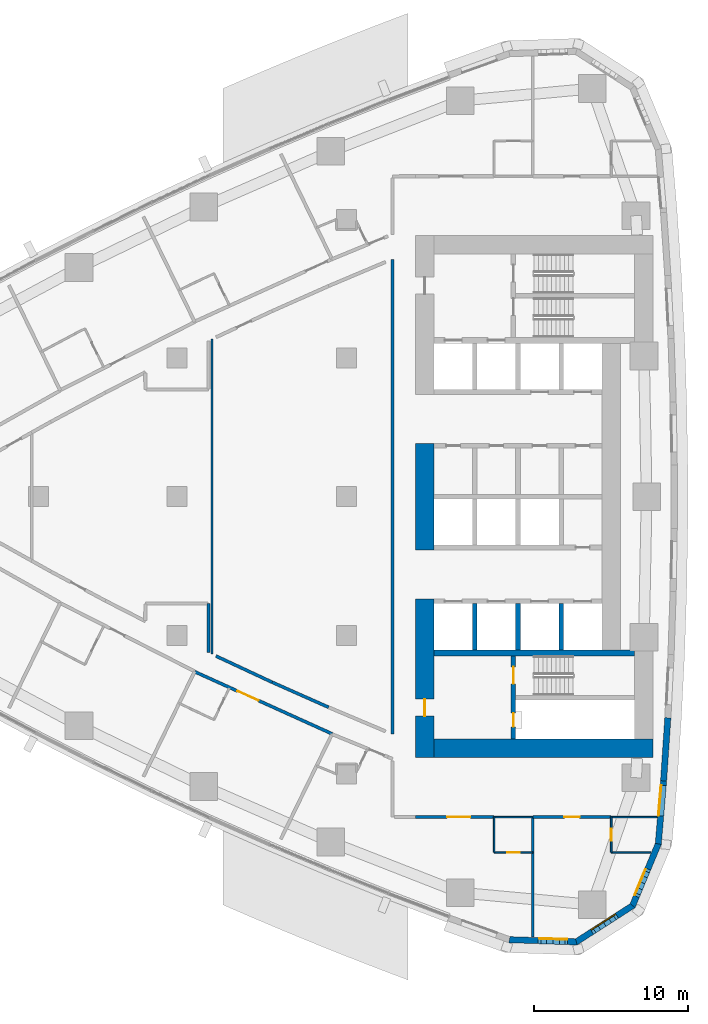
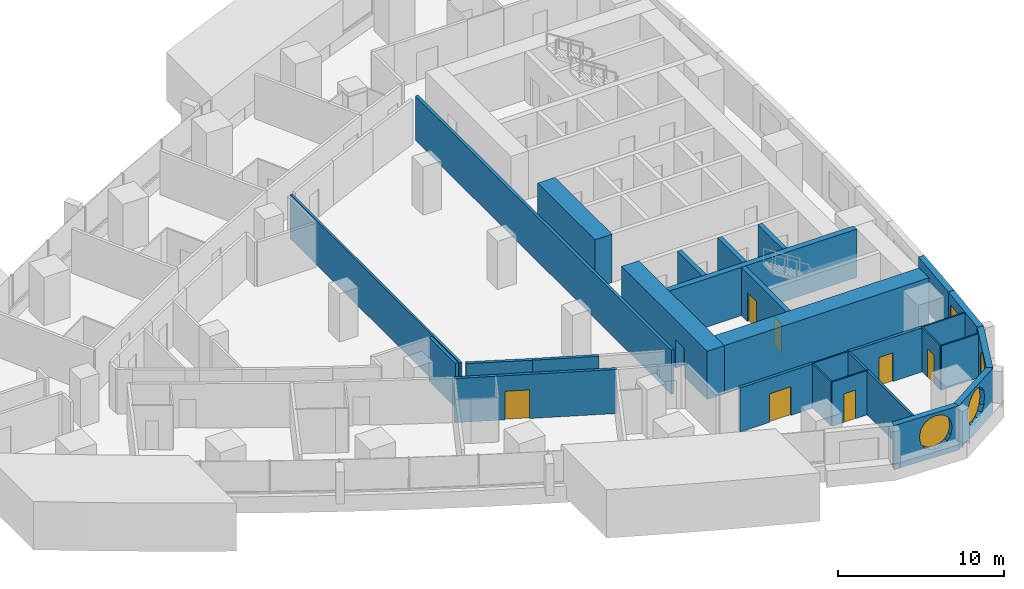
# One storey, part 10 of 19: 28 walls, 8 doors, 4 windows, 12 openings.
"""IFC4 building model written with IfcOpenShell, lengths in metres."""

from ifc_helpers import new_model, si_unit, direction, frame, frame_2d, origin, place, context, subcontext, project, spatial, polyline, rectangle, outline, extrude, material, layer, layer_set, type_object, element, fill, save


model = new_model("IFC4")

# Units and contexts
model_context = context("Model", 3, precision=1e-05, world=origin(), true_north=direction((0.0, 1.0)))
body_context = subcontext(model_context, "Body", "Model", "MODEL_VIEW")
ifc_project = project(units=[si_unit("LENGTHUNIT", "METRE"), si_unit("AREAUNIT", "SQUARE_METRE"), si_unit("VOLUMEUNIT", "CUBIC_METRE"), si_unit("PLANEANGLEUNIT", "RADIAN"), si_unit("MASSUNIT", "GRAM", prefix="KILO")], contexts=[model_context])

# Site, building, storey
site_placement = place(None, origin())
site = spatial("IfcSite", under=ifc_project, at=site_placement, CompositionType="ELEMENT")
building_placement = place(site_placement, origin())
building = spatial("IfcBuilding", under=site, at=building_placement, Name="Ostrand Prow Hotel Tower", CompositionType="ELEMENT")
storey_placement = place(building_placement, frame((0.0, 0.0, 64.449951171875)))
storey = spatial("IfcBuildingStorey", under=building, at=storey_placement, Name="L14", CompositionType="ELEMENT", Elevation=64.449951171875)

# Wall
ifc_material_1 = material(Name="Concrete C80/95", Category="concrete")
ifc_layer_1 = layer(ifc_material_1, 1.199951171875)
ifc_layer_set_1 = layer_set([ifc_layer_1], Name="Concrete C80/95")
wall_type_1 = type_object("IfcWallType", Name="Core wall 1200 C80/95", PredefinedType="SHEAR", material=ifc_layer_set_1)
wall_1_placement = place(storey_placement, frame((50.10009765625, -3.449951171875, 0.0), z_axis=(0.0, 0.0, 1.0), x_axis=(0.0, 1.0, 0.0)))
element("IfcWall", 1, at=wall_1_placement, inside=storey, type_object=wall_type_1, Name="Core wall CW-W-C", PredefinedType="SHEAR", context=body_context, shape_type="SweptSolid", body=[
    extrude(rectangle(XDim=6.89990234375, YDim=1.199951171875, at=frame_2d((3.449951171875, 0.0))), origin(), (0.0, 0.0, 1.0), 3.550048828125),
])

# Wall, opening, door
wall_2_placement = place(storey_placement, frame((50.10009765625, -16.949951171875, 0.0), z_axis=(0.0, 0.0, 1.0), x_axis=(0.0, 1.0, 0.0)))
wall_2 = element("IfcWall", 2, at=wall_2_placement, inside=storey, type_object=wall_type_1, Name="Core wall CW-W-S", PredefinedType="SHEAR", context=body_context, shape_type="SweptSolid", body=[
    extrude(rectangle(XDim=10.300048828125, YDim=1.199951171875, at=frame_2d((5.14990234375, 0.0))), origin(), (0.0, 0.0, 1.0), 3.550048828125),
])
opening_1_placement = place(wall_2_placement, frame((2.699951171875, 0.0, 0.0)))
opening_1 = element("IfcOpeningElement", 3, at=opening_1_placement, cuts=wall_2, Name="Opening FD1", PredefinedType="OPENING", context=body_context, shape_type="SweptSolid", body=[
    extrude(rectangle(XDim=1.10009765625, YDim=2.10009765625, at=frame_2d((0.550048828125, 1.050048828125))), frame((0.0, 0.60986328125, 0.0), z_axis=(0.0, -1.0, 0.0), x_axis=(1.0, 0.0, 0.0)), (0.0, 0.0, 1.0), 1.219970703125),
])
ifc_material_2 = material(Name="Steel fire door", Category="steel")
door_type_1 = type_object("IfcDoorType", Name="Fire door 1100 EI120", OperationType="SINGLE_SWING_RIGHT", PredefinedType="DOOR", material=ifc_material_2)
door_1_placement = place(opening_1_placement, origin())
door_1 = element("IfcDoor", 4, at=door_1_placement, inside=storey, type_object=door_type_1, Name="FIRE DOOR", OperationType="SINGLE_SWING_RIGHT", OverallHeight=2.10009765625, OverallWidth=1.10009765625, PredefinedType="DOOR", context=body_context, shape_type="SweptSolid", body=[
    extrude(rectangle(XDim=1.10009765625, YDim=2.10009765625, at=frame_2d((0.550048828125, 1.050048828125))), frame((0.0, 0.02490234375, 0.0), z_axis=(0.0, -1.0, 0.0), x_axis=(1.0, 0.0, 0.0)), (0.0, 0.0, 1.0), 0.050048828125),
])
fill(opening_1, door_1)

# Walls
wall_3_placement = place(storey_placement, frame((50.699951171875, -16.35009765625, 0.0), z_axis=(0.0, 0.0, 1.0), x_axis=(1.0, 0.0, 0.0)))
element("IfcWall", 5, at=wall_3_placement, inside=storey, type_object=wall_type_1, Name="Core wall CW-S", PredefinedType="SHEAR", context=body_context, shape_type="SweptSolid", body=[
    extrude(rectangle(XDim=14.219970703125, YDim=1.199951171875, at=frame_2d((7.10986328125, 0.0))), origin(), (0.0, 0.0, 1.0), 3.550048828125),
])
ifc_material_3 = material(Name="Concrete C80/95", Category="concrete")
ifc_layer_2 = layer(ifc_material_3, 0.300048828125)
ifc_layer_set_2 = layer_set([ifc_layer_2], Name="Concrete C80/95")
wall_type_2 = type_object("IfcWallType", Name="Core wall 300 C80/95", PredefinedType="SHEAR", material=ifc_layer_set_2)
for number, where, z_axis, x_axis, name in (
    (6, (53.35009765625, -9.949951171875, 0.0), (0.0, 0.0, 1.0), (0.0, 1.0, 0.0), "Core wall PW-R1-SA"),
    (7, (56.14990234375, -9.949951171875, 0.0), (0.0, 0.0, 1.0), (0.0, 1.0, 0.0), "Core wall PW-R2-SA"),
    (8, (58.949951171875, -9.949951171875, 0.0), (0.0, 0.0, 1.0), (0.0, 1.0, 0.0), "Core wall PW-R3-SA"),
):
    element("IfcWall", number, at=place(storey_placement, frame(where, z_axis=z_axis, x_axis=x_axis)), inside=storey, type_object=wall_type_2, Name=name, PredefinedType="SHEAR", context=body_context, shape_type="SweptSolid", body=[
        extrude(rectangle(XDim=3.0, YDim=0.300048828125, at=frame_2d((1.5, 0.0))), origin(), (0.0, 0.0, 1.0), 3.550048828125),
    ])

# Wall, openings, doors
wall_4_placement = place(storey_placement, frame((55.85009765625, -15.75, 0.0), z_axis=(0.0, 0.0, 1.0), x_axis=(0.0, 1.0, 0.0)))
wall_4 = element("IfcWall", 9, at=wall_4_placement, inside=storey, type_object=wall_type_2, Name="Core wall PW-VS", PredefinedType="SHEAR", context=body_context, shape_type="SweptSolid", body=[
    extrude(rectangle(XDim=5.39990234375, YDim=0.300048828125, at=frame_2d((2.699951171875, 0.0))), origin(), (0.0, 0.0, 1.0), 3.550048828125),
])
opening_2_placement = place(wall_4_placement, frame((3.60009765625, 0.0, 0.0)))
opening_2 = element("IfcOpeningElement", 10, at=opening_2_placement, cuts=wall_4, Name="Opening FD1", PredefinedType="OPENING", context=body_context, shape_type="SweptSolid", body=[
    extrude(rectangle(XDim=1.10009765625, YDim=2.10009765625, at=frame_2d((0.550048828125, 1.050048828125))), frame((0.0, 0.159912109375, 0.0), z_axis=(0.0, -1.0, 0.0), x_axis=(1.0, 0.0, 0.0)), (0.0, 0.0, 1.0), 0.320068359375),
])
opening_3_placement = place(wall_4_placement, frame((0.800048828125, 0.0, 0.0)))
opening_3 = element("IfcOpeningElement", 11, at=opening_3_placement, cuts=wall_4, Name="Opening FD2", PredefinedType="OPENING", context=body_context, shape_type="SweptSolid", body=[
    extrude(rectangle(XDim=0.89990234375, YDim=2.10009765625, at=frame_2d((0.449951171875, 1.050048828125))), frame((0.0, 0.159912109375, 0.0), z_axis=(0.0, -1.0, 0.0), x_axis=(1.0, 0.0, 0.0)), (0.0, 0.0, 1.0), 0.320068359375),
])
door_2_placement = place(opening_2_placement, origin())
door_2 = element("IfcDoor", 12, at=door_2_placement, inside=storey, type_object=door_type_1, Name="FIRE DOOR", OperationType="SINGLE_SWING_RIGHT", OverallHeight=2.10009765625, OverallWidth=1.10009765625, PredefinedType="DOOR", context=body_context, shape_type="SweptSolid", body=[
    extrude(rectangle(XDim=1.10009765625, YDim=2.10009765625, at=frame_2d((0.550048828125, 1.050048828125))), frame((0.0, 0.02490234375, 0.0), z_axis=(0.0, -1.0, 0.0), x_axis=(1.0, 0.0, 0.0)), (0.0, 0.0, 1.0), 0.050048828125),
])
fill(opening_2, door_2)
ifc_material_4 = material(Name="Steel fire door", Category="steel")
door_type_2 = type_object("IfcDoorType", Name="Fire door 900 EI120", OperationType="SINGLE_SWING_LEFT", PredefinedType="DOOR", material=ifc_material_4)
door_3_placement = place(opening_3_placement, origin())
door_3 = element("IfcDoor", 13, at=door_3_placement, inside=storey, type_object=door_type_2, Name="FIRE DOOR", OperationType="SINGLE_SWING_LEFT", OverallHeight=2.10009765625, OverallWidth=0.89990234375, PredefinedType="DOOR", context=body_context, shape_type="SweptSolid", body=[
    extrude(rectangle(XDim=0.89990234375, YDim=2.10009765625, at=frame_2d((0.449951171875, 1.050048828125))), frame((0.0, 0.02490234375, 0.0), z_axis=(0.0, -1.0, 0.0), x_axis=(1.0, 0.0, 0.0)), (0.0, 0.0, 1.0), 0.050048828125),
])
fill(opening_3, door_3)

# Walls
ifc_material_5 = material(Name="Concrete C80/95", Category="concrete")
ifc_layer_3 = layer(ifc_material_5, 0.39990234375)
ifc_layer_set_3 = layer_set([ifc_layer_3], Name="Concrete C80/95")
wall_type_3 = type_object("IfcWallType", Name="Core wall 400 C80/95", PredefinedType="SHEAR", material=ifc_layer_set_3)
wall_5_placement = place(storey_placement, frame((50.699951171875, -10.14990234375, 0.0), z_axis=(0.0, 0.0, 1.0), x_axis=(1.0, 0.0, 0.0)))
element("IfcWall", 14, at=wall_5_placement, inside=storey, type_object=wall_type_3, Name="Core wall PW-BS", PredefinedType="SHEAR", context=body_context, shape_type="SweptSolid", body=[
    extrude(rectangle(XDim=13.02001953125, YDim=0.39990234375, at=frame_2d((6.510009765625, 0.0))), origin(), (0.0, 0.0, 1.0), 3.550048828125),
])
ifc_material_6 = material(Name="Plasterboard partition")
ifc_layer_4 = layer(ifc_material_6, 0.10009765625)
ifc_layer_set_4 = layer_set([ifc_layer_4], Name="Plasterboard partition")
wall_type_4 = type_object("IfcWallType", Name="Partition 100 bathroom wall", PredefinedType="PARTITIONING", material=ifc_layer_set_4)
wall_6_placement = place(storey_placement, frame((54.601806640625, -23.10009765625, 0.0), z_axis=(0.0, 0.0, 1.0), x_axis=(0.0, 1.0, 0.0)))
element("IfcWall", 15, at=wall_6_placement, inside=storey, type_object=wall_type_4, Name="BATHROOM WALL", PredefinedType="PARTITIONING", context=body_context, shape_type="SweptSolid", body=[
    extrude(rectangle(XDim=2.300048828125, YDim=0.10009765625, at=frame_2d((1.14990234375, 0.0))), origin(), (0.0, 0.0, 1.0), 3.25),
])

# Wall, opening, door
wall_7_placement = place(storey_placement, frame((57.101806640625, -23.10009765625, 0.0), z_axis=(0.0, 0.0, 1.0), x_axis=(-1.0, 0.0, 0.0)))
wall_7 = element("IfcWall", 16, at=wall_7_placement, inside=storey, type_object=wall_type_4, Name="BATHROOM WALL", PredefinedType="PARTITIONING", context=body_context, shape_type="SweptSolid", body=[
    extrude(rectangle(XDim=2.5, YDim=0.10009765625, at=frame_2d((1.25, 0.0))), origin(), (0.0, 0.0, 1.0), 3.25),
])
opening_4_placement = place(wall_7_placement, frame((0.85009765625, 0.0, 0.0)))
opening_4 = element("IfcOpeningElement", 17, at=opening_4_placement, cuts=wall_7, Name="Opening D2", PredefinedType="OPENING", context=body_context, shape_type="SweptSolid", body=[
    extrude(rectangle(XDim=0.800048828125, YDim=2.10009765625, at=frame_2d((0.39990234375, 1.050048828125))), frame((0.0, 0.06005859375, 0.0), z_axis=(0.0, -1.0, 0.0), x_axis=(1.0, 0.0, 0.0)), (0.0, 0.0, 1.0), 0.1201171875),
])
ifc_material_7 = material(Name="Timber door leaf", Category="wood")
door_type_3 = type_object("IfcDoorType", Name="Bathroom door 800", OperationType="SINGLE_SWING_LEFT", PredefinedType="DOOR", material=ifc_material_7)
door_4_placement = place(opening_4_placement, origin())
door_4 = element("IfcDoor", 18, at=door_4_placement, inside=storey, type_object=door_type_3, Name="DOOR", OperationType="SINGLE_SWING_LEFT", OverallHeight=2.10009765625, OverallWidth=0.800048828125, PredefinedType="DOOR", context=body_context, shape_type="SweptSolid", body=[
    extrude(rectangle(XDim=0.800048828125, YDim=2.10009765625, at=frame_2d((0.39990234375, 1.050048828125))), frame((0.0, 0.02490234375, 0.0), z_axis=(0.0, -1.0, 0.0), x_axis=(1.0, 0.0, 0.0)), (0.0, 0.0, 1.0), 0.050048828125),
])
fill(opening_4, door_4)

# Wall
wall_8_placement = place(storey_placement, frame((64.781494140625, -23.10009765625, 0.0), z_axis=(0.0, 0.0, 1.0), x_axis=(-1.0, 0.0, 0.0)))
element("IfcWall", 19, at=wall_8_placement, inside=storey, type_object=wall_type_4, Name="BATHROOM WALL", PredefinedType="PARTITIONING", context=body_context, shape_type="SweptSolid", body=[
    extrude(rectangle(XDim=2.578125, YDim=0.10009765625, at=frame_2d((1.2890625, 0.0))), origin(), (0.0, 0.0, 1.0), 3.25),
])

# Wall, opening, door
wall_9_placement = place(storey_placement, frame((62.203369140625, -23.10009765625, 0.0), z_axis=(0.0, 0.0, 1.0), x_axis=(0.0, 1.0, 0.0)))
wall_9 = element("IfcWall", 20, at=wall_9_placement, inside=storey, type_object=wall_type_4, Name="BATHROOM WALL", PredefinedType="PARTITIONING", context=body_context, shape_type="SweptSolid", body=[
    extrude(rectangle(XDim=2.300048828125, YDim=0.10009765625, at=frame_2d((1.14990234375, 0.0))), origin(), (0.0, 0.0, 1.0), 3.25),
])
opening_5_placement = place(wall_9_placement, frame((0.75, 0.0, 0.0)))
opening_5 = element("IfcOpeningElement", 21, at=opening_5_placement, cuts=wall_9, Name="Opening D2", PredefinedType="OPENING", context=body_context, shape_type="SweptSolid", body=[
    extrude(rectangle(XDim=0.800048828125, YDim=2.10009765625, at=frame_2d((0.39990234375, 1.050048828125))), frame((0.0, 0.06005859375, 0.0), z_axis=(0.0, -1.0, 0.0), x_axis=(1.0, 0.0, 0.0)), (0.0, 0.0, 1.0), 0.1201171875),
])
door_5_placement = place(opening_5_placement, origin())
door_5 = element("IfcDoor", 22, at=door_5_placement, inside=storey, type_object=door_type_3, Name="DOOR", OperationType="SINGLE_SWING_LEFT", OverallHeight=2.10009765625, OverallWidth=0.800048828125, PredefinedType="DOOR", context=body_context, shape_type="SweptSolid", body=[
    extrude(rectangle(XDim=0.800048828125, YDim=2.10009765625, at=frame_2d((0.39990234375, 1.050048828125))), frame((0.0, 0.02490234375, 0.0), z_axis=(0.0, -1.0, 0.0), x_axis=(1.0, 0.0, 0.0)), (0.0, 0.0, 1.0), 0.050048828125),
])
fill(opening_5, door_5)

# Walls
wall_10_placement = place(storey_placement, frame((54.601806640625, -20.804931640625, 0.0), z_axis=(0.0, 0.0, 1.0), x_axis=(1.0, 0.0, 0.0)))
element("IfcWall", 23, at=wall_10_placement, inside=storey, type_object=wall_type_4, Name="BATHROOM WALL", PredefinedType="PARTITIONING", context=body_context, shape_type="SweptSolid", body=[
    extrude(rectangle(XDim=2.5, YDim=0.10009765625, at=frame_2d((1.25, 0.0))), origin(), (0.0, 0.0, 1.0), 3.25),
])
wall_11_placement = place(storey_placement, frame((62.203369140625, -20.804931640625, 0.0), z_axis=(0.0, 0.0, 1.0), x_axis=(1.0, 0.0, 0.0)))
element("IfcWall", 24, at=wall_11_placement, inside=storey, type_object=wall_type_4, Name="BATHROOM WALL", PredefinedType="PARTITIONING", context=body_context, shape_type="SweptSolid", body=[
    extrude(rectangle(XDim=2.97119140625, YDim=0.10009765625, at=frame_2d((1.485595703125, 0.0))), origin(), (0.0, 0.0, 1.0), 3.25),
])
ifc_material_8 = material(Name="Plasterboard partition")
ifc_layer_5 = layer(ifc_material_8, 0.14990234375)
ifc_layer_set_5 = layer_set([ifc_layer_5], Name="Plasterboard partition")
wall_type_5 = type_object("IfcWallType", Name="Partition 150 room partition", PredefinedType="PARTITIONING", material=ifc_layer_set_5)
wall_12_placement = place(storey_placement, frame((57.101806640625, -28.5869140625, 0.0), z_axis=(0.0, 0.0, 1.0), x_axis=(0.0, 1.0, 0.0)))
element("IfcWall", 25, at=wall_12_placement, inside=storey, type_object=wall_type_5, Name="ROOM PARTITION", PredefinedType="PARTITIONING", context=body_context, shape_type="SweptSolid", body=[
    extrude(rectangle(XDim=7.786865234375, YDim=0.14990234375, at=frame_2d((3.8935546875, 0.0))), origin(), (0.0, 0.0, 1.0), 3.25),
])
wall_13_placement = place(storey_placement, frame((36.28271484375, -10.22509765625, 0.0), z_axis=(0.0, 0.0, 1.0), x_axis=(0.0, 1.0, 0.0)))
element("IfcWall", 26, at=wall_13_placement, inside=storey, type_object=wall_type_5, Name="ROOM PARTITION", PredefinedType="PARTITIONING", context=body_context, shape_type="SweptSolid", body=[
    extrude(rectangle(XDim=20.4501953125, YDim=0.14990234375, at=frame_2d((10.22509765625, 0.0))), origin(), (0.0, 0.0, 1.0), 3.25),
])

# Wall, opening, door
ifc_material_9 = material(Name="Plasterboard partition")
ifc_layer_6 = layer(ifc_material_9, 0.199951171875)
ifc_layer_set_6 = layer_set([ifc_layer_6], Name="Plasterboard partition")
wall_type_6 = type_object("IfcWallType", Name="Partition 200 corridor wall", PredefinedType="PARTITIONING", material=ifc_layer_set_6)
wall_14_placement = place(storey_placement, frame((35.147705078125, -11.3623046875, 0.0), z_axis=(0.0, 0.0, 1.0), x_axis=(0.9111333041, -0.412111759308, 0.0)))
wall_14 = element("IfcWall", 27, at=wall_14_placement, inside=storey, type_object=wall_type_6, Name="CORRIDOR WALL", PredefinedType="PARTITIONING", context=body_context, shape_type="SweptSolid", body=[
    extrude(rectangle(XDim=9.803955078125, YDim=0.199951171875, at=frame_2d((4.90185546875, 0.0))), origin(), (0.0, 0.0, 1.0), 3.25),
])
opening_6_placement = place(wall_14_placement, frame((3.050048828125, 0.0, 0.0)))
opening_6 = element("IfcOpeningElement", 28, at=opening_6_placement, cuts=wall_14, Name="Opening D15", PredefinedType="OPENING", context=body_context, shape_type="SweptSolid", body=[
    extrude(rectangle(XDim=1.5, YDim=2.10009765625, at=frame_2d((0.75, 1.050048828125))), frame((0.0, 0.10986328125, 0.0), z_axis=(0.0, -1.0, 0.0), x_axis=(1.0, 0.0, 0.0)), (0.0, 0.0, 1.0), 0.219970703125),
])
ifc_material_10 = material(Name="Timber door leaf", Category="wood")
door_type_4 = type_object("IfcDoorType", Name="Double door 1500", OperationType="DOUBLE_DOOR_SINGLE_SWING", PredefinedType="DOOR", material=ifc_material_10)
door_6_placement = place(opening_6_placement, origin())
door_6 = element("IfcDoor", 29, at=door_6_placement, inside=storey, type_object=door_type_4, Name="DOOR", OperationType="DOUBLE_DOOR_SINGLE_SWING", OverallHeight=2.10009765625, OverallWidth=1.5, PredefinedType="DOOR", context=body_context, shape_type="SweptSolid", body=[
    extrude(rectangle(XDim=1.5, YDim=2.10009765625, at=frame_2d((0.75, 1.050048828125))), frame((0.0, 0.02490234375, 0.0), z_axis=(0.0, -1.0, 0.0), x_axis=(1.0, 0.0, 0.0)), (0.0, 0.0, 1.0), 0.050048828125),
])
fill(opening_6, door_6)

# Walls
wall_15_placement = place(storey_placement, frame((43.85009765625, -13.67724609375, 0.0), z_axis=(0.0, 0.0, 1.0), x_axis=(-0.913986953061, 0.405743576209, 0.0)))
element("IfcWall", 30, at=wall_15_placement, inside=storey, type_object=wall_type_6, Name="CORRIDOR WALL", PredefinedType="PARTITIONING", context=body_context, shape_type="SweptSolid", body=[
    extrude(rectangle(XDim=4.015869140625, YDim=0.199951171875, at=frame_2d((2.0078125, 0.0))), origin(), (0.0, 0.0, 1.0), 3.25),
])
wall_16_placement = place(storey_placement, frame((40.1796875, -12.0478515625, 0.0), z_axis=(0.0, 0.0, 1.0), x_axis=(-0.906347708834, 0.42253263861, 0.0)))
element("IfcWall", 31, at=wall_16_placement, inside=storey, type_object=wall_type_6, Name="CORRIDOR WALL", PredefinedType="PARTITIONING", context=body_context, shape_type="SweptSolid", body=[
    extrude(rectangle(XDim=4.015625, YDim=0.199951171875, at=frame_2d((2.0078125, 0.0))), origin(), (0.0, 0.0, 1.0), 3.25),
])

# Wall, opening, door
wall_17_placement = place(storey_placement, frame((49.5, -20.804931640625, 0.0), z_axis=(0.0, 0.0, 1.0), x_axis=(1.0, 0.0, 0.0)))
wall_17 = element("IfcWall", 32, at=wall_17_placement, inside=storey, type_object=wall_type_6, Name="CORRIDOR WALL", PredefinedType="PARTITIONING", context=body_context, shape_type="SweptSolid", body=[
    extrude(rectangle(XDim=5.0966796875, YDim=0.199951171875, at=frame_2d((2.54833984375, 0.0))), origin(), (0.0, 0.0, 1.0), 3.25),
])
opening_7_placement = place(wall_17_placement, frame((2.04833984375, 0.0, 0.0)))
opening_7 = element("IfcOpeningElement", 33, at=opening_7_placement, cuts=wall_17, Name="Opening D15", PredefinedType="OPENING", context=body_context, shape_type="SweptSolid", body=[
    extrude(rectangle(XDim=1.5, YDim=2.10009765625, at=frame_2d((0.75, 1.050048828125))), frame((0.0, 0.10986328125, 0.0), z_axis=(0.0, -1.0, 0.0), x_axis=(1.0, 0.0, 0.0)), (0.0, 0.0, 1.0), 0.219970703125),
])
door_7_placement = place(opening_7_placement, origin())
door_7 = element("IfcDoor", 34, at=door_7_placement, inside=storey, type_object=door_type_4, Name="DOOR", OperationType="DOUBLE_DOOR_SINGLE_SWING", OverallHeight=2.10009765625, OverallWidth=1.5, PredefinedType="DOOR", context=body_context, shape_type="SweptSolid", body=[
    extrude(rectangle(XDim=1.5, YDim=2.10009765625, at=frame_2d((0.75, 1.050048828125))), frame((0.0, 0.02490234375, 0.0), z_axis=(0.0, -1.0, 0.0), x_axis=(1.0, 0.0, 0.0)), (0.0, 0.0, 1.0), 0.050048828125),
])
fill(opening_7, door_7)

wall_18_placement = place(storey_placement, frame((57.106689453125, -20.804931640625, 0.0), z_axis=(0.0, 0.0, 1.0), x_axis=(1.0, 0.0, 0.0)))
wall_18 = element("IfcWall", 35, at=wall_18_placement, inside=storey, type_object=wall_type_6, Name="CORRIDOR WALL", PredefinedType="PARTITIONING", context=body_context, shape_type="SweptSolid", body=[
    extrude(rectangle(XDim=5.091552734375, YDim=0.199951171875, at=frame_2d((2.5458984375, 0.0))), origin(), (0.0, 0.0, 1.0), 3.25),
])
opening_8_placement = place(wall_18_placement, frame((2.0458984375, 0.0, 0.0)))
opening_8 = element("IfcOpeningElement", 36, at=opening_8_placement, cuts=wall_18, Name="Opening D1R", PredefinedType="OPENING", context=body_context, shape_type="SweptSolid", body=[
    extrude(rectangle(XDim=1.0, YDim=2.10009765625, at=frame_2d((0.5, 1.050048828125))), frame((0.0, 0.10986328125, 0.0), z_axis=(0.0, -1.0, 0.0), x_axis=(1.0, 0.0, 0.0)), (0.0, 0.0, 1.0), 0.219970703125),
])
ifc_material_11 = material(Name="Timber door leaf", Category="wood")
door_type_5 = type_object("IfcDoorType", Name="Guest room door 1000 right", OperationType="SINGLE_SWING_RIGHT", PredefinedType="DOOR", material=ifc_material_11)
door_8_placement = place(opening_8_placement, origin())
door_8 = element("IfcDoor", 37, at=door_8_placement, inside=storey, type_object=door_type_5, Name="DOOR", OperationType="SINGLE_SWING_RIGHT", OverallHeight=2.10009765625, OverallWidth=1.0, PredefinedType="DOOR", context=body_context, shape_type="SweptSolid", body=[
    extrude(rectangle(XDim=1.0, YDim=2.10009765625, at=frame_2d((0.5, 1.050048828125))), frame((0.0, 0.02490234375, 0.0), z_axis=(0.0, -1.0, 0.0), x_axis=(1.0, 0.0, 0.0)), (0.0, 0.0, 1.0), 0.050048828125),
])
fill(opening_8, door_8)

# Walls
wall_19_placement = place(storey_placement, frame((36.054931640625, -10.1083984375, 0.0), z_axis=(0.0, 0.0, 1.0), x_axis=(-0.00077190251, 0.999999702083, 0.0)))
element("IfcWall", 38, at=wall_19_placement, inside=storey, type_object=wall_type_6, Name="CORRIDOR WALL", PredefinedType="PARTITIONING", context=body_context, shape_type="SweptSolid", body=[
    extrude(rectangle(XDim=3.162841796875, YDim=0.199951171875, at=frame_2d((1.58154296875, 0.0))), origin(), (0.0, 0.0, 1.0), 3.25),
])
wall_20_placement = place(storey_placement, frame((48.0, 15.4140625, 0.0), z_axis=(0.0, 0.0, 1.0), x_axis=(0.0, -1.0, 0.0)))
element("IfcWall", 39, at=wall_20_placement, inside=storey, type_object=wall_type_6, Name="CORRIDOR WALL", PredefinedType="PARTITIONING", context=body_context, shape_type="SweptSolid", body=[
    extrude(rectangle(XDim=30.828125, YDim=0.199951171875, at=frame_2d((15.4140625, 0.0))), origin(), (0.0, 0.0, 1.0), 3.25),
])

# Wall, opening, window
ifc_material_12 = material(Name="Precast concrete C40/50", Category="concrete")
ifc_layer_7 = layer(ifc_material_12, 0.39990234375)
ifc_layer_set_7 = layer_set([ifc_layer_7], Name="Precast concrete C40/50")
wall_type_7 = type_object("IfcWallType", Name="Stone-faced precast wall 400 mm", PredefinedType="NOTDEFINED", material=ifc_layer_set_7)
wall_21_placement = place(storey_placement, frame((55.58984375, -28.767578125, 0.0), z_axis=(0.0, 0.0, 1.0), x_axis=(0.999463576228, -0.032749958686, 0.0)))
wall_21 = element("IfcWall", 40, at=wall_21_placement, inside=storey, type_object=wall_type_7, Name="Stone-faced wall back 2", PredefinedType="NOTDEFINED", context=body_context, shape_type="SweptSolid", body=[
    extrude(outline(polyline([(-0.031494140625, -0.199951171875), (4.40869140625, -0.199951171875), (4.28369140625, 0.199951171875), (0.031494140625, 0.199951171875), (-0.031494140625, -0.199951171875)])), origin(), (0.0, 0.0, 1.0), 3.25),
])
opening_9_placement = place(wall_21_placement, frame((1.724365234375, 0.0, 0.60009765625)))
opening_9 = element("IfcOpeningElement", 41, at=opening_9_placement, cuts=wall_21, Name="Opening WP2", PredefinedType="OPENING", context=body_context, shape_type="SweptSolid", body=[
    extrude(outline(polyline([(0.0, 1.35009765625), (0.083740234375, 1.77099609375), (0.322265625, 2.127685546875), (0.678955078125, 2.3662109375), (1.10009765625, 2.449951171875), (1.52099609375, 2.3662109375), (1.877685546875, 2.127685546875), (2.1162109375, 1.77099609375), (2.199951171875, 1.35009765625), (2.199951171875, 1.10009765625), (2.1162109375, 0.678955078125), (1.877685546875, 0.322265625), (1.52099609375, 0.083740234375), (1.10009765625, 0.0), (0.678955078125, 0.083740234375), (0.322265625, 0.322265625), (0.083740234375, 0.678955078125), (0.0, 1.099853515625), (0.0, 1.35009765625)])), frame((0.0, 0.2099609375, 0.0), z_axis=(0.0, -1.0, 0.0), x_axis=(1.0, 0.0, 0.0)), (0.0, 0.0, 1.0), 0.419921875),
])
ifc_material_13 = material(Name="Insulated glass in bronze frame", Category="glass")
window_type_1 = type_object("IfcWindowType", Name="Round-ended prow lounge window 2200x2450", PartitioningType="SINGLE_PANEL", PredefinedType="WINDOW", material=ifc_material_13)
window_1_placement = place(opening_9_placement, origin())
window_1 = element("IfcWindow", 42, at=window_1_placement, inside=storey, type_object=window_type_1, Name="Window back 2.1", OverallHeight=2.449951171875, OverallWidth=2.199951171875, PartitioningType="SINGLE_PANEL", PredefinedType="WINDOW", context=body_context, shape_type="SweptSolid", body=[
    extrude(outline(polyline([(0.0, 1.35009765625), (0.083740234375, 1.77099609375), (0.322265625, 2.127685546875), (0.678955078125, 2.3662109375), (1.10009765625, 2.449951171875), (1.52099609375, 2.3662109375), (1.877685546875, 2.127685546875), (2.1162109375, 1.77099609375), (2.199951171875, 1.35009765625), (2.199951171875, 1.10009765625), (2.1162109375, 0.678955078125), (1.877685546875, 0.322265625), (1.52099609375, 0.083740234375), (1.10009765625, 0.0), (0.678955078125, 0.083740234375), (0.322265625, 0.322265625), (0.083740234375, 0.678955078125), (0.0, 1.099853515625), (0.0, 1.35009765625)])), frame((0.0, 0.169921875, 0.0), z_axis=(0.0, -1.0, 0.0), x_axis=(1.0, 0.0, 0.0)), (0.0, 0.0, 1.0), 0.06005859375),
])
fill(opening_9, window_1)

wall_22_placement = place(storey_placement, frame((59.93359375, -28.909912109375, 0.0), z_axis=(0.0, 0.0, 1.0), x_axis=(0.840937468718, 0.541132307025, 0.0)))
wall_22 = element("IfcWall", 43, at=wall_22_placement, inside=storey, type_object=wall_type_7, Name="Stone-faced wall back 3", PredefinedType="NOTDEFINED", context=body_context, shape_type="SweptSolid", body=[
    extrude(outline(polyline([(-0.0625, -0.199951171875), (4.40869140625, -0.199951171875), (4.28369140625, 0.199951171875), (0.0625, 0.199951171875), (-0.0625, -0.199951171875)])), origin(), (0.0, 0.0, 1.0), 3.25),
])
opening_10_placement = place(wall_22_placement, frame((1.072998046875, 0.0, 0.60009765625)))
opening_10 = element("IfcOpeningElement", 44, at=opening_10_placement, cuts=wall_22, Name="Opening WP2", PredefinedType="OPENING", context=body_context, shape_type="SweptSolid", body=[
    extrude(outline(polyline([(0.0, 1.35009765625), (0.083740234375, 1.77099609375), (0.322265625, 2.127685546875), (0.678955078125, 2.3662109375), (1.10009765625, 2.449951171875), (1.52099609375, 2.3662109375), (1.877685546875, 2.127685546875), (2.1162109375, 1.77099609375), (2.199951171875, 1.35009765625), (2.199951171875, 1.10009765625), (2.1162109375, 0.678955078125), (1.877685546875, 0.322265625), (1.52099609375, 0.083740234375), (1.10009765625, 0.0), (0.678955078125, 0.083740234375), (0.322265625, 0.322265625), (0.083740234375, 0.678955078125), (0.0, 1.099853515625), (0.0, 1.35009765625)])), frame((0.0, 0.2099609375, 0.0), z_axis=(0.0, -1.0, 0.0), x_axis=(1.0, 0.0, 0.0)), (0.0, 0.0, 1.0), 0.419921875),
])
window_2_placement = place(opening_10_placement, origin())
window_2 = element("IfcWindow", 45, at=window_2_placement, inside=storey, type_object=window_type_1, Name="Window back 3.1", OverallHeight=2.449951171875, OverallWidth=2.199951171875, PartitioningType="SINGLE_PANEL", PredefinedType="WINDOW", context=body_context, shape_type="SweptSolid", body=[
    extrude(outline(polyline([(0.0, 1.35009765625), (0.083740234375, 1.77099609375), (0.322265625, 2.127685546875), (0.678955078125, 2.3662109375), (1.10009765625, 2.449951171875), (1.52099609375, 2.3662109375), (1.877685546875, 2.127685546875), (2.1162109375, 1.77099609375), (2.199951171875, 1.35009765625), (2.199951171875, 1.10009765625), (2.1162109375, 0.678955078125), (1.877685546875, 0.322265625), (1.52099609375, 0.083740234375), (1.10009765625, 0.0), (0.678955078125, 0.083740234375), (0.322265625, 0.322265625), (0.083740234375, 0.678955078125), (0.0, 1.099853515625), (0.0, 1.35009765625)])), frame((0.0, 0.169921875, 0.0), z_axis=(0.0, -1.0, 0.0), x_axis=(1.0, 0.0, 0.0)), (0.0, 0.0, 1.0), 0.06005859375),
])
fill(opening_10, window_2)

wall_23_placement = place(storey_placement, frame((63.58837890625, -26.55810546875, 0.0), z_axis=(0.0, 0.0, 1.0), x_axis=(0.384372042685, 0.923178277908, 0.0)))
wall_23 = element("IfcWall", 46, at=wall_23_placement, inside=storey, type_object=wall_type_7, Name="Stone-faced wall back 4", PredefinedType="NOTDEFINED", context=body_context, shape_type="SweptSolid", body=[
    extrude(outline(polyline([(-0.0625, -0.199951171875), (4.376953125, -0.199951171875), (4.314453125, 0.199951171875), (0.0625, 0.199951171875), (-0.0625, -0.199951171875)])), origin(), (0.0, 0.0, 1.0), 3.25),
])
opening_11_placement = place(wall_23_placement, frame((0.515380859375, 0.0, 0.60009765625)))
opening_11 = element("IfcOpeningElement", 47, at=opening_11_placement, cuts=wall_23, Name="Opening WP2", PredefinedType="OPENING", context=body_context, shape_type="SweptSolid", body=[
    extrude(outline(polyline([(0.0, 1.35009765625), (0.083740234375, 1.77099609375), (0.322265625, 2.127685546875), (0.678955078125, 2.3662109375), (1.10009765625, 2.449951171875), (1.52099609375, 2.3662109375), (1.877685546875, 2.127685546875), (2.1162109375, 1.77099609375), (2.199951171875, 1.35009765625), (2.199951171875, 1.10009765625), (2.1162109375, 0.678955078125), (1.877685546875, 0.322265625), (1.52099609375, 0.083740234375), (1.10009765625, 0.0), (0.678955078125, 0.083740234375), (0.322265625, 0.322265625), (0.083740234375, 0.678955078125), (0.0, 1.099853515625), (0.0, 1.35009765625)])), frame((0.0, 0.2099609375, 0.0), z_axis=(0.0, -1.0, 0.0), x_axis=(1.0, 0.0, 0.0)), (0.0, 0.0, 1.0), 0.419921875),
])
window_3_placement = place(opening_11_placement, origin())
window_3 = element("IfcWindow", 48, at=window_3_placement, inside=storey, type_object=window_type_1, Name="Window back 4.1", OverallHeight=2.449951171875, OverallWidth=2.199951171875, PartitioningType="SINGLE_PANEL", PredefinedType="WINDOW", context=body_context, shape_type="SweptSolid", body=[
    extrude(outline(polyline([(0.0, 1.35009765625), (0.083740234375, 1.77099609375), (0.322265625, 2.127685546875), (0.678955078125, 2.3662109375), (1.10009765625, 2.449951171875), (1.52099609375, 2.3662109375), (1.877685546875, 2.127685546875), (2.1162109375, 1.77099609375), (2.199951171875, 1.35009765625), (2.199951171875, 1.10009765625), (2.1162109375, 0.678955078125), (1.877685546875, 0.322265625), (1.52099609375, 0.083740234375), (1.10009765625, 0.0), (0.678955078125, 0.083740234375), (0.322265625, 0.322265625), (0.083740234375, 0.678955078125), (0.0, 1.099853515625), (0.0, 1.35009765625)])), frame((0.0, 0.169921875, 0.0), z_axis=(0.0, -1.0, 0.0), x_axis=(1.0, 0.0, 0.0)), (0.0, 0.0, 1.0), 0.06005859375),
])
fill(opening_11, window_3)

wall_24_placement = place(storey_placement, frame((65.2587890625, -22.546142578125, 0.0), z_axis=(0.0, 0.0, 1.0), x_axis=(0.083793550906, 0.996483136248, 0.0)))
wall_24 = element("IfcWall", 49, at=wall_24_placement, inside=storey, type_object=wall_type_7, Name="Stone-faced wall back 5", PredefinedType="NOTDEFINED", context=body_context, shape_type="SweptSolid", body=[
    extrude(outline(polyline([(-0.03125, -0.199951171875), (4.10693359375, -0.199951171875), (4.103515625, 0.199951171875), (0.03125, 0.199951171875), (-0.03125, -0.199951171875)])), origin(), (0.0, 0.0, 1.0), 3.25),
])
opening_12_placement = place(wall_24_placement, frame((1.81689453125, 0.0, 0.5)))
opening_12 = element("IfcOpeningElement", 50, at=opening_12_placement, cuts=wall_24, Name="Opening WA1-20", PredefinedType="OPENING", context=body_context, shape_type="SweptSolid", body=[
    extrude(rectangle(XDim=2.0, YDim=2.0, at=frame_2d((1.0, 1.0))), frame((0.0, 0.2099609375, 0.0), z_axis=(0.0, -1.0, 0.0), x_axis=(1.0, 0.0, 0.0)), (0.0, 0.0, 1.0), 0.419921875),
])
ifc_material_14 = material(Name="Insulated glass in bronze frame", Category="glass")
window_type_2 = type_object("IfcWindowType", Name="Amenity picture window 2000x2000", PartitioningType="SINGLE_PANEL", PredefinedType="WINDOW", material=ifc_material_14)
window_4_placement = place(opening_12_placement, origin())
window_4 = element("IfcWindow", 51, at=window_4_placement, inside=storey, type_object=window_type_2, Name="Window back 5.1", OverallHeight=2.0, OverallWidth=2.0, PartitioningType="SINGLE_PANEL", PredefinedType="WINDOW", context=body_context, shape_type="SweptSolid", body=[
    extrude(rectangle(XDim=2.0, YDim=2.0, at=frame_2d((1.0, 1.0))), frame((0.0, 0.169921875, 0.0), z_axis=(0.0, -1.0, 0.0), x_axis=(1.0, 0.0, 0.0)), (0.0, 0.0, 1.0), 0.06005859375),
])
fill(opening_12, window_4)

# Wall
wall_25_placement = place(storey_placement, frame((65.602783203125, -18.455322265625, 0.0), z_axis=(0.0, 0.0, 1.0), x_axis=(0.067087430225, 0.997747100575, 0.0)))
element("IfcWall", 52, at=wall_25_placement, inside=storey, type_object=wall_type_7, Name="Stone-faced wall back 6", PredefinedType="NOTDEFINED", context=body_context, shape_type="SweptSolid", body=[
    extrude(outline(polyline([(-0.001708984375, -0.199951171875), (4.106689453125, -0.199951171875), (4.103271484375, 0.199951171875), (0.001708984375, 0.199951171875), (-0.001708984375, -0.199951171875)])), origin(), (0.0, 0.0, 1.0), 3.25),
])

save(model, "model.ifc")
